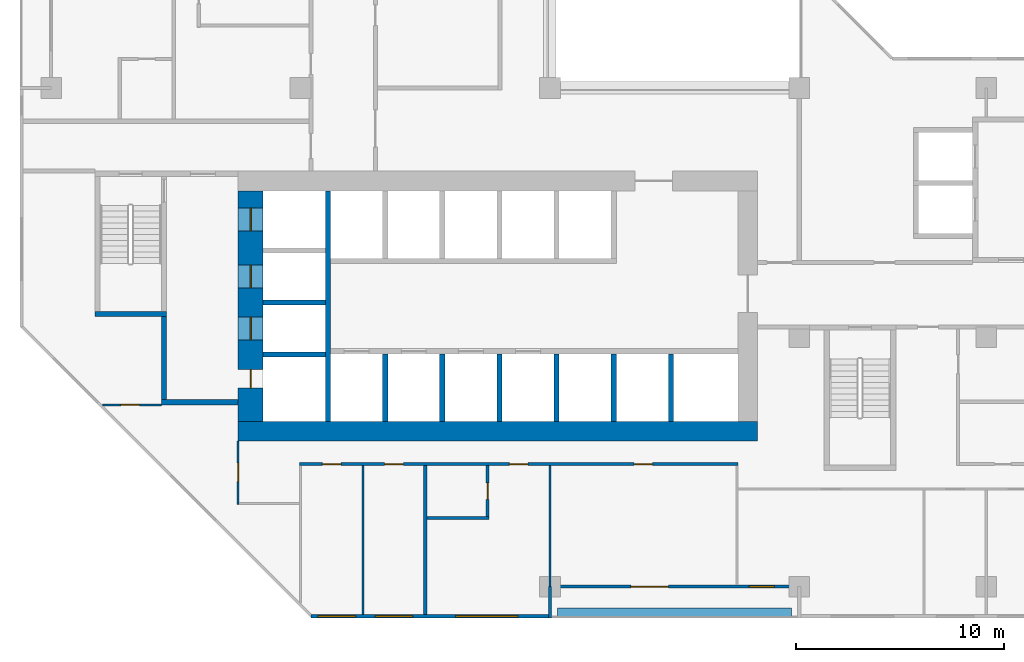
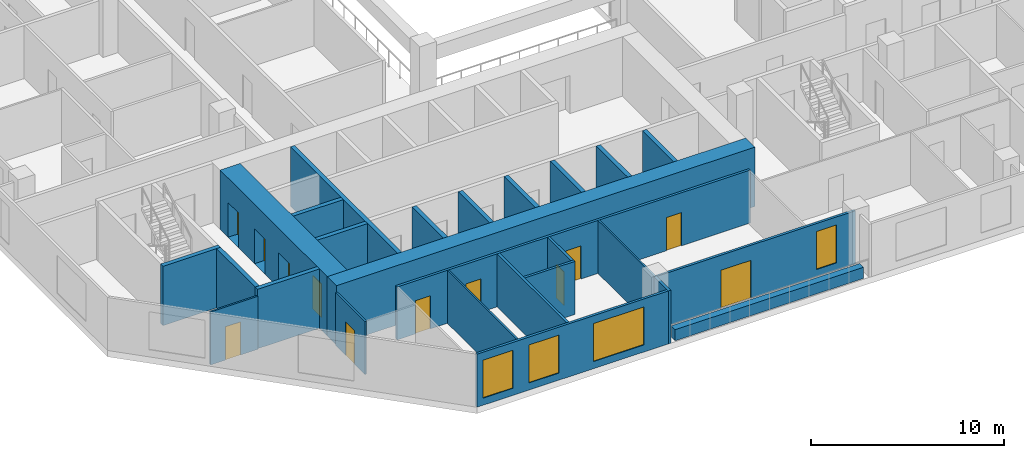
# One storey, part 4 of 14: 26 walls, 12 doors, 4 windows, 16 openings.
"""IFC4 building model written with IfcOpenShell, lengths in metres."""

from ifc_helpers import new_model, si_unit, direction, frame, frame_2d, origin, place, context, subcontext, project, spatial, rectangle, extrude, material, layer, layer_set, type_object, element, fill, save


model = new_model("IFC4")

# Units and contexts
model_context = context("Model", 3, precision=1e-05, world=origin(), true_north=direction((0.0, 1.0)))
body_context = subcontext(model_context, "Body", "Model", "MODEL_VIEW")
ifc_project = project(units=[si_unit("LENGTHUNIT", "METRE"), si_unit("AREAUNIT", "SQUARE_METRE"), si_unit("VOLUMEUNIT", "CUBIC_METRE"), si_unit("PLANEANGLEUNIT", "RADIAN"), si_unit("MASSUNIT", "GRAM", prefix="KILO")], contexts=[model_context])

# Site, building, storey
site_placement = place(None, origin())
site = spatial("IfcSite", under=ifc_project, at=site_placement, CompositionType="ELEMENT")
building_placement = place(site_placement, origin())
building = spatial("IfcBuilding", under=site, at=building_placement, Name="Chenar Terraces", CompositionType="ELEMENT")
storey_placement = place(building_placement, frame((0.0, 0.0, 110.64990234375)))
storey = spatial("IfcBuildingStorey", under=building, at=storey_placement, Name="L25", CompositionType="ELEMENT", Elevation=110.64990234375)

# Wall, openings, doors
ifc_material_1 = material(Name="Concrete C70/85", Category="concrete")
ifc_layer_1 = layer(ifc_material_1, 1.199951171875)
ifc_layer_set_1 = layer_set([ifc_layer_1], Name="Concrete C70/85")
wall_type_1 = type_object("IfcWallType", Name="Core wall 1200 Concrete C70/85", PredefinedType="SHEAR", material=ifc_layer_set_1)
wall_1_placement = place(storey_placement, frame((9.60009765625, 7.949951171875, 0.0), z_axis=(0.0, 0.0, 1.0), x_axis=(0.0, 1.0, 0.0)))
wall_1 = element("IfcWall", 1, at=wall_1_placement, inside=storey, type_object=wall_type_1, Name="Core wall W L25", PredefinedType="SHEAR", context=body_context, shape_type="SweptSolid", body=[
    extrude(rectangle(XDim=11.10009765625, YDim=1.199951171875, at=frame_2d((5.550048828125, 0.0))), origin(), (0.0, 0.0, 1.0), 3.75),
])
opening_1_placement = place(wall_1_placement, frame((3.925048828125, 0.0, 0.0)))
opening_1 = element("IfcOpeningElement", 2, at=opening_1_placement, cuts=wall_1, Name="Opening DL25-LD5", PredefinedType="OPENING", context=body_context, shape_type="SweptSolid", body=[
    extrude(rectangle(XDim=1.10009765625, YDim=2.199951171875, at=frame_2d((0.550048828125, 1.10009765625))), frame((0.0, 0.60986328125, 0.0), z_axis=(0.0, -1.0, 0.0), x_axis=(1.0, 0.0, 0.0)), (0.0, 0.0, 1.0), 1.219970703125),
])
opening_2_placement = place(wall_1_placement, frame((6.425048828125, 0.0, 0.0)))
opening_2 = element("IfcOpeningElement", 3, at=opening_2_placement, cuts=wall_1, Name="Opening DL25-LD6", PredefinedType="OPENING", context=body_context, shape_type="SweptSolid", body=[
    extrude(rectangle(XDim=1.10009765625, YDim=2.199951171875, at=frame_2d((0.550048828125, 1.10009765625))), frame((0.0, 0.60986328125, 0.0), z_axis=(0.0, -1.0, 0.0), x_axis=(1.0, 0.0, 0.0)), (0.0, 0.0, 1.0), 1.219970703125),
])
opening_3_placement = place(wall_1_placement, frame((9.175048828125, 0.0, 0.0)))
opening_3 = element("IfcOpeningElement", 4, at=opening_3_placement, cuts=wall_1, Name="Opening DL25-LD7", PredefinedType="OPENING", context=body_context, shape_type="SweptSolid", body=[
    extrude(rectangle(XDim=1.10009765625, YDim=2.199951171875, at=frame_2d((0.550048828125, 1.10009765625))), frame((0.0, 0.60986328125, 0.0), z_axis=(0.0, -1.0, 0.0), x_axis=(1.0, 0.0, 0.0)), (0.0, 0.0, 1.0), 1.219970703125),
])
opening_4_placement = place(wall_1_placement, frame((1.60009765625, 0.0, 0.0)))
opening_4 = element("IfcOpeningElement", 5, at=opening_4_placement, cuts=wall_1, Name="Opening DL25-C4", PredefinedType="OPENING", context=body_context, shape_type="SweptSolid", body=[
    extrude(rectangle(XDim=0.89990234375, YDim=2.10009765625, at=frame_2d((0.449951171875, 1.050048828125))), frame((0.0, 0.60986328125, 0.0), z_axis=(0.0, -1.0, 0.0), x_axis=(1.0, 0.0, 0.0)), (0.0, 0.0, 1.0), 1.219970703125),
])
ifc_material_2 = material(Name="Stainless steel", Category="steel")
door_type_1 = type_object("IfcDoorType", Name="Lift landing door 1100 x 2200 sliding", OperationType="DOUBLE_DOOR_SLIDING", PredefinedType="DOOR", material=ifc_material_2)
door_1_placement = place(opening_1_placement, origin())
door_1 = element("IfcDoor", 6, at=door_1_placement, inside=storey, type_object=door_type_1, Name="Landing door S1", OperationType="DOUBLE_DOOR_SLIDING", OverallHeight=2.199951171875, OverallWidth=1.10009765625, PredefinedType="DOOR", context=body_context, shape_type="SweptSolid", body=[
    extrude(rectangle(XDim=1.10009765625, YDim=2.199951171875, at=frame_2d((0.550048828125, 1.10009765625))), frame((0.0, 0.02490234375, 0.0), z_axis=(0.0, -1.0, 0.0), x_axis=(1.0, 0.0, 0.0)), (0.0, 0.0, 1.0), 0.050048828125),
])
fill(opening_1, door_1)
door_2_placement = place(opening_2_placement, origin())
door_2 = element("IfcDoor", 7, at=door_2_placement, inside=storey, type_object=door_type_1, Name="Landing door F1", OperationType="DOUBLE_DOOR_SLIDING", OverallHeight=2.199951171875, OverallWidth=1.10009765625, PredefinedType="DOOR", context=body_context, shape_type="SweptSolid", body=[
    extrude(rectangle(XDim=1.10009765625, YDim=2.199951171875, at=frame_2d((0.550048828125, 1.10009765625))), frame((0.0, 0.02490234375, 0.0), z_axis=(0.0, -1.0, 0.0), x_axis=(1.0, 0.0, 0.0)), (0.0, 0.0, 1.0), 0.050048828125),
])
fill(opening_2, door_2)
door_3_placement = place(opening_3_placement, origin())
door_3 = element("IfcDoor", 8, at=door_3_placement, inside=storey, type_object=door_type_1, Name="Landing door F2", OperationType="DOUBLE_DOOR_SLIDING", OverallHeight=2.199951171875, OverallWidth=1.10009765625, PredefinedType="DOOR", context=body_context, shape_type="SweptSolid", body=[
    extrude(rectangle(XDim=1.10009765625, YDim=2.199951171875, at=frame_2d((0.550048828125, 1.10009765625))), frame((0.0, 0.02490234375, 0.0), z_axis=(0.0, -1.0, 0.0), x_axis=(1.0, 0.0, 0.0)), (0.0, 0.0, 1.0), 0.050048828125),
])
fill(opening_3, door_3)
ifc_material_3 = material(Name="Steel-framed fire-resisting door leaf", Category="steel")
door_type_2 = type_object("IfcDoorType", Name="Riser fire door FD60 900 x 2100", OperationType="SINGLE_SWING_LEFT", PredefinedType="DOOR", material=ifc_material_3)
door_4_placement = place(opening_4_placement, frame((0.89990234375, 0.0, 0.0), z_axis=(0.0, 0.0, 1.0), x_axis=(-1.0, 0.0, 0.0)))
door_4 = element("IfcDoor", 9, at=door_4_placement, inside=storey, type_object=door_type_2, Name="Riser door DL25-C4", OperationType="SINGLE_SWING_LEFT", OverallHeight=2.10009765625, OverallWidth=0.89990234375, PredefinedType="DOOR", context=body_context, shape_type="SweptSolid", body=[
    extrude(rectangle(XDim=0.89990234375, YDim=2.10009765625, at=frame_2d((0.449951171875, 1.050048828125))), frame((0.0, 0.02490234375, 0.0), z_axis=(0.0, -1.0, 0.0), x_axis=(1.0, 0.0, 0.0)), (0.0, 0.0, 1.0), 0.050048828125),
])
fill(opening_4, door_4)

# Walls
ifc_material_4 = material(Name="Concrete C70/85", Category="concrete")
ifc_layer_2 = layer(ifc_material_4, 0.25)
ifc_layer_set_2 = layer_set([ifc_layer_2], Name="Concrete C70/85")
wall_type_2 = type_object("IfcWallType", Name="Core wall 250 Concrete C70/85", PredefinedType="SHEAR", material=ifc_layer_set_2)
wall_2_placement = place(storey_placement, frame((13.324951171875, 7.949951171875, 0.0), z_axis=(0.0, 0.0, 1.0), x_axis=(0.0, 1.0, 0.0)))
element("IfcWall", 10, at=wall_2_placement, inside=storey, type_object=wall_type_2, Name="Core wall WI L25", PredefinedType="SHEAR", context=body_context, shape_type="SweptSolid", body=[
    extrude(rectangle(XDim=11.10009765625, YDim=0.25, at=frame_2d((5.550048828125, 0.0))), origin(), (0.0, 0.0, 1.0), 3.75),
])
for number, where, z_axis, x_axis, name in (
    (11, (10.199951171875, 11.175048828125, 0.0), (0.0, 0.0, 1.0), (1.0, 0.0, 0.0), "Core wall HW0 L25"),
    (12, (10.199951171875, 13.675048828125, 0.0), (0.0, 0.0, 1.0), (1.0, 0.0, 0.0), "Core wall HW1 L25"),
):
    element("IfcWall", number, at=place(storey_placement, frame(where, z_axis=z_axis, x_axis=x_axis)), inside=storey, type_object=wall_type_2, Name=name, PredefinedType="SHEAR", context=body_context, shape_type="SweptSolid", body=[
        extrude(rectangle(XDim=3.0, YDim=0.25, at=frame_2d((1.5, 0.0))), origin(), (0.0, 0.0, 1.0), 3.75),
    ])
for number, where, z_axis, x_axis, name in (
    (13, (16.074951171875, 7.949951171875, 0.0), (0.0, 0.0, 1.0), (0.0, 1.0, 0.0), "Core wall SS0 L25"),
    (14, (18.824951171875, 7.949951171875, 0.0), (0.0, 0.0, 1.0), (0.0, 1.0, 0.0), "Core wall SS1 L25"),
    (15, (21.574951171875, 7.949951171875, 0.0), (0.0, 0.0, 1.0), (0.0, 1.0, 0.0), "Core wall SS2 L25"),
    (16, (24.324951171875, 7.949951171875, 0.0), (0.0, 0.0, 1.0), (0.0, 1.0, 0.0), "Core wall SS3 L25"),
    (17, (27.074951171875, 7.949951171875, 0.0), (0.0, 0.0, 1.0), (0.0, 1.0, 0.0), "Core wall SS4 L25"),
    (18, (29.824951171875, 7.949951171875, 0.0), (0.0, 0.0, 1.0), (0.0, 1.0, 0.0), "Core wall SS5 L25"),
):
    element("IfcWall", number, at=place(storey_placement, frame(where, z_axis=z_axis, x_axis=x_axis)), inside=storey, type_object=wall_type_2, Name=name, PredefinedType="SHEAR", context=body_context, shape_type="SweptSolid", body=[
        extrude(rectangle(XDim=3.25, YDim=0.25, at=frame_2d((1.625, 0.0))), origin(), (0.0, 0.0, 1.0), 3.75),
    ])
wall_3_placement = place(storey_placement, frame((2.10009765625, 13.125, 0.0), z_axis=(0.0, 0.0, 1.0), x_axis=(1.0, 0.0, 0.0)))
element("IfcWall", 19, at=wall_3_placement, inside=storey, type_object=wall_type_2, Name="Core wall ST1_S L25", PredefinedType="SHEAR", context=body_context, shape_type="SweptSolid", body=[
    extrude(rectangle(XDim=3.449951171875, YDim=0.25, at=frame_2d((1.72509765625, 0.0))), origin(), (0.0, 0.0, 1.0), 3.75),
])
wall_4_placement = place(storey_placement, frame((5.300048828125, 8.875, 0.0), z_axis=(0.0, 0.0, 1.0), x_axis=(1.0, 0.0, 0.0)))
element("IfcWall", 20, at=wall_4_placement, inside=storey, type_object=wall_type_2, Name="Core wall FFL_S L25", PredefinedType="SHEAR", context=body_context, shape_type="SweptSolid", body=[
    extrude(rectangle(XDim=3.699951171875, YDim=0.25, at=frame_2d((1.85009765625, 0.0))), origin(), (0.0, 0.0, 1.0), 3.75),
])
wall_5_placement = place(storey_placement, frame((5.425048828125, 9.0, 0.0), z_axis=(0.0, 0.0, 1.0), x_axis=(0.0, 1.0, 0.0)))
element("IfcWall", 21, at=wall_5_placement, inside=storey, type_object=wall_type_2, Name="Core wall FFL_W L25", PredefinedType="SHEAR", context=body_context, shape_type="SweptSolid", body=[
    extrude(rectangle(XDim=4.0, YDim=0.25, at=frame_2d((2.0, 0.0))), origin(), (0.0, 0.0, 1.0), 3.75),
])
ifc_material_5 = material(Name="Concrete C70/85", Category="concrete")
ifc_layer_3 = layer(ifc_material_5, 0.949951171875)
ifc_layer_set_3 = layer_set([ifc_layer_3], Name="Concrete C70/85")
wall_type_3 = type_object("IfcWallType", Name="Core wall 950 Concrete C70/85", PredefinedType="SHEAR", material=ifc_layer_set_3)
wall_6_placement = place(storey_placement, frame((9.0, 7.47509765625, 0.0), z_axis=(0.0, 0.0, 1.0), x_axis=(1.0, 0.0, 0.0)))
element("IfcWall", 22, at=wall_6_placement, inside=storey, type_object=wall_type_3, Name="Core wall S L25", PredefinedType="SHEAR", context=body_context, shape_type="SweptSolid", body=[
    extrude(rectangle(XDim=25.0, YDim=0.949951171875, at=frame_2d((12.5, 0.0))), origin(), (0.0, 0.0, 1.0), 3.75),
])

# Wall, openings, windows
ifc_material_6 = material(Name="Aluminium framed glazing", Category="aluminium")
ifc_layer_4 = layer(ifc_material_6, 0.14990234375)
ifc_layer_set_4 = layer_set([ifc_layer_4], Name="Aluminium framed glazing")
wall_type_4 = type_object("IfcWallType", Name="Glazed flush facade wall 150", PredefinedType="SOLIDWALL", material=ifc_layer_set_4)
wall_7_placement = place(storey_placement, frame((12.5, -1.425048828125, 0.0), z_axis=(0.0, 0.0, 1.0), x_axis=(1.0, 0.0, 0.0)))
wall_7 = element("IfcWall", 23, at=wall_7_placement, inside=storey, type_object=wall_type_4, Name="Glazed flush facade wall", PredefinedType="SOLIDWALL", context=body_context, shape_type="SweptSolid", body=[
    extrude(rectangle(XDim=11.425048828125, YDim=0.14990234375, at=frame_2d((5.71240234375, 0.0))), origin(), (0.0, 0.0, 1.0), 3.35009765625),
])
opening_5_placement = place(wall_7_placement, frame((0.35009765625, 0.0, 0.449951171875)))
opening_5 = element("IfcOpeningElement", 24, at=opening_5_placement, cuts=wall_7, Name="Opening W180x240", PredefinedType="OPENING", context=body_context, shape_type="SweptSolid", body=[
    extrude(rectangle(XDim=1.800048828125, YDim=2.39990234375, at=frame_2d((0.89990234375, 1.199951171875))), frame((0.0, 0.0849609375, 0.0), z_axis=(0.0, -1.0, 0.0), x_axis=(1.0, 0.0, 0.0)), (0.0, 0.0, 1.0), 0.169921875),
])
opening_6_placement = place(wall_7_placement, frame((3.10009765625, 0.0, 0.449951171875)))
opening_6 = element("IfcOpeningElement", 25, at=opening_6_placement, cuts=wall_7, Name="Opening W180x240", PredefinedType="OPENING", context=body_context, shape_type="SweptSolid", body=[
    extrude(rectangle(XDim=1.800048828125, YDim=2.39990234375, at=frame_2d((0.89990234375, 1.199951171875))), frame((0.0, 0.0849609375, 0.0), z_axis=(0.0, -1.0, 0.0), x_axis=(1.0, 0.0, 0.0)), (0.0, 0.0, 1.0), 0.169921875),
])
opening_7_placement = place(wall_7_placement, frame((6.96240234375, 0.0, 0.449951171875)))
opening_7 = element("IfcOpeningElement", 26, at=opening_7_placement, cuts=wall_7, Name="Opening W300x240", PredefinedType="OPENING", context=body_context, shape_type="SweptSolid", body=[
    extrude(rectangle(XDim=3.0, YDim=2.39990234375, at=frame_2d((1.5, 1.199951171875))), frame((0.0, 0.0849609375, 0.0), z_axis=(0.0, -1.0, 0.0), x_axis=(1.0, 0.0, 0.0)), (0.0, 0.0, 1.0), 0.169921875),
])
ifc_material_7 = material(Name="Low emissivity double glazing, aluminium frame", Category="aluminium")
window_type_1 = type_object("IfcWindowType", Name="Fixed light 1800 x 2400", PartitioningType="SINGLE_PANEL", PredefinedType="WINDOW", material=ifc_material_7)
window_1_placement = place(opening_5_placement, origin())
window_1 = element("IfcWindow", 27, at=window_1_placement, inside=storey, type_object=window_type_1, Name="Window", OverallHeight=2.39990234375, OverallWidth=1.800048828125, PartitioningType="SINGLE_PANEL", PredefinedType="WINDOW", context=body_context, shape_type="SweptSolid", body=[
    extrude(rectangle(XDim=1.800048828125, YDim=2.39990234375, at=frame_2d((0.89990234375, 1.199951171875))), frame((0.0, 0.030029296875, 0.0), z_axis=(0.0, -1.0, 0.0), x_axis=(1.0, 0.0, 0.0)), (0.0, 0.0, 1.0), 0.06005859375),
])
fill(opening_5, window_1)
window_2_placement = place(opening_6_placement, origin())
window_2 = element("IfcWindow", 28, at=window_2_placement, inside=storey, type_object=window_type_1, Name="Window", OverallHeight=2.39990234375, OverallWidth=1.800048828125, PartitioningType="SINGLE_PANEL", PredefinedType="WINDOW", context=body_context, shape_type="SweptSolid", body=[
    extrude(rectangle(XDim=1.800048828125, YDim=2.39990234375, at=frame_2d((0.89990234375, 1.199951171875))), frame((0.0, 0.030029296875, 0.0), z_axis=(0.0, -1.0, 0.0), x_axis=(1.0, 0.0, 0.0)), (0.0, 0.0, 1.0), 0.06005859375),
])
fill(opening_6, window_2)
ifc_material_8 = material(Name="Low emissivity double glazing, aluminium frame", Category="aluminium")
window_type_2 = type_object("IfcWindowType", Name="Fixed light 3000 x 2400", PartitioningType="SINGLE_PANEL", PredefinedType="WINDOW", material=ifc_material_8)
window_3_placement = place(opening_7_placement, origin())
window_3 = element("IfcWindow", 29, at=window_3_placement, inside=storey, type_object=window_type_2, Name="Window", OverallHeight=2.39990234375, OverallWidth=3.0, PartitioningType="SINGLE_PANEL", PredefinedType="WINDOW", context=body_context, shape_type="SweptSolid", body=[
    extrude(rectangle(XDim=3.0, YDim=2.39990234375, at=frame_2d((1.5, 1.199951171875))), frame((0.0, 0.030029296875, 0.0), z_axis=(0.0, -1.0, 0.0), x_axis=(1.0, 0.0, 0.0)), (0.0, 0.0, 1.0), 0.06005859375),
])
fill(opening_7, window_3)

# Wall, openings, window, door
ifc_material_9 = material(Name="Aluminium framed glazing", Category="aluminium")
ifc_layer_5 = layer(ifc_material_9, 0.14990234375)
ifc_layer_set_5 = layer_set([ifc_layer_5], Name="Aluminium framed glazing")
wall_type_5 = type_object("IfcWallType", Name="Glazed loggia back wall 150", PredefinedType="SOLIDWALL", material=ifc_layer_set_5)
wall_8_placement = place(storey_placement, frame((24.074951171875, 0.0, 0.0), z_axis=(0.0, 0.0, 1.0), x_axis=(1.0, 0.0, 0.0)))
wall_8 = element("IfcWall", 30, at=wall_8_placement, inside=storey, type_object=wall_type_5, Name="Glazed loggia back wall", PredefinedType="SOLIDWALL", context=body_context, shape_type="SweptSolid", body=[
    extrude(rectangle(XDim=11.85009765625, YDim=0.14990234375, at=frame_2d((5.925048828125, 0.0))), origin(), (0.0, 0.0, 1.0), 3.35009765625),
])
opening_8_placement = place(wall_8_placement, frame((3.824951171875, 0.0, 0.0)))
opening_8 = element("IfcOpeningElement", 31, at=opening_8_placement, cuts=wall_8, Name="Opening DL25-G6", PredefinedType="OPENING", context=body_context, shape_type="SweptSolid", body=[
    extrude(rectangle(XDim=1.800048828125, YDim=2.39990234375, at=frame_2d((0.89990234375, 1.199951171875))), frame((0.0, 0.0849609375, 0.0), z_axis=(0.0, -1.0, 0.0), x_axis=(1.0, 0.0, 0.0)), (0.0, 0.0, 1.0), 0.169921875),
])
opening_9_placement = place(wall_8_placement, frame((9.52490234375, 0.0, 0.449951171875)))
opening_9 = element("IfcOpeningElement", 32, at=opening_9_placement, cuts=wall_8, Name="Opening W120x240", PredefinedType="OPENING", context=body_context, shape_type="SweptSolid", body=[
    extrude(rectangle(XDim=1.199951171875, YDim=2.39990234375, at=frame_2d((0.60009765625, 1.199951171875))), frame((0.0, 0.0849609375, 0.0), z_axis=(0.0, -1.0, 0.0), x_axis=(1.0, 0.0, 0.0)), (0.0, 0.0, 1.0), 0.169921875),
])
ifc_material_10 = material(Name="Low emissivity double glazing, aluminium frame", Category="aluminium")
window_type_3 = type_object("IfcWindowType", Name="Fixed light 1200 x 2400", PartitioningType="SINGLE_PANEL", PredefinedType="WINDOW", material=ifc_material_10)
window_4_placement = place(opening_9_placement, origin())
window_4 = element("IfcWindow", 33, at=window_4_placement, inside=storey, type_object=window_type_3, Name="Window", OverallHeight=2.39990234375, OverallWidth=1.199951171875, PartitioningType="SINGLE_PANEL", PredefinedType="WINDOW", context=body_context, shape_type="SweptSolid", body=[
    extrude(rectangle(XDim=1.199951171875, YDim=2.39990234375, at=frame_2d((0.60009765625, 1.199951171875))), frame((0.0, 0.030029296875, 0.0), z_axis=(0.0, -1.0, 0.0), x_axis=(1.0, 0.0, 0.0)), (0.0, 0.0, 1.0), 0.06005859375),
])
fill(opening_9, window_4)
ifc_material_11 = material(Name="Low emissivity double glazing, aluminium frame", Category="aluminium")
door_type_3 = type_object("IfcDoorType", Name="Loggia glazed double door 1800 x 2400", OperationType="DOUBLE_DOOR_SINGLE_SWING", PredefinedType="DOOR", material=ifc_material_11)
door_5_placement = place(opening_8_placement, frame((1.800048828125, 0.0, 0.0), z_axis=(0.0, 0.0, 1.0), x_axis=(-1.0, 0.0, 0.0)))
door_5 = element("IfcDoor", 34, at=door_5_placement, inside=storey, type_object=door_type_3, Name="Loggia glazed door", OperationType="DOUBLE_DOOR_SINGLE_SWING", OverallHeight=2.39990234375, OverallWidth=1.800048828125, PredefinedType="DOOR", context=body_context, shape_type="SweptSolid", body=[
    extrude(rectangle(XDim=1.800048828125, YDim=2.39990234375, at=frame_2d((0.89990234375, 1.199951171875))), frame((0.0, 0.02490234375, 0.0), z_axis=(0.0, -1.0, 0.0), x_axis=(1.0, 0.0, 0.0)), (0.0, 0.0, 1.0), 0.050048828125),
])
fill(opening_8, door_5)

# Wall, opening, door
ifc_material_12 = material(Name="Gypsum board on steel studs", Category="steel")
ifc_layer_6 = layer(ifc_material_12, 0.10009765625)
ifc_layer_set_6 = layer_set([ifc_layer_6], Name="Gypsum board on steel studs")
wall_type_6 = type_object("IfcWallType", Name="Gypsum partition 100", PredefinedType="PARTITIONING", material=ifc_layer_set_6)
wall_9_placement = place(storey_placement, frame((2.4609375, 8.75, 0.0), z_axis=(0.0, 0.0, 1.0), x_axis=(1.0, 0.0, 0.0)))
wall_9 = element("IfcWall", 35, at=wall_9_placement, inside=storey, type_object=wall_type_6, Name="Partition L25-010", PredefinedType="PARTITIONING", context=body_context, shape_type="SweptSolid", body=[
    extrude(rectangle(XDim=2.839111328125, YDim=0.10009765625, at=frame_2d((1.41943359375, 0.0))), origin(), (0.0, 0.0, 1.0), 3.35009765625),
])
opening_10_placement = place(wall_9_placement, frame((0.888916015625, 0.0, 0.0)))
opening_10 = element("IfcOpeningElement", 36, at=opening_10_placement, cuts=wall_9, Name="Opening DL25-57", PredefinedType="OPENING", context=body_context, shape_type="SweptSolid", body=[
    extrude(rectangle(XDim=0.89990234375, YDim=2.10009765625, at=frame_2d((0.449951171875, 1.050048828125))), frame((0.0, 0.06005859375, 0.0), z_axis=(0.0, -1.0, 0.0), x_axis=(1.0, 0.0, 0.0)), (0.0, 0.0, 1.0), 0.1201171875),
])
ifc_material_13 = material(Name="Veneered timber door leaf", Category="wood")
door_type_4 = type_object("IfcDoorType", Name="Door 900 x 2100", OperationType="SINGLE_SWING_LEFT", PredefinedType="DOOR", material=ifc_material_13)
door_6_placement = place(opening_10_placement, frame((0.89990234375, 0.0, 0.0), z_axis=(0.0, 0.0, 1.0), x_axis=(-1.0, 0.0, 0.0)))
door_6 = element("IfcDoor", 37, at=door_6_placement, inside=storey, type_object=door_type_4, Name="Door DL25-57", OperationType="SINGLE_SWING_RIGHT", OverallHeight=2.10009765625, OverallWidth=0.89990234375, PredefinedType="DOOR", context=body_context, shape_type="SweptSolid", body=[
    extrude(rectangle(XDim=0.89990234375, YDim=2.10009765625, at=frame_2d((0.449951171875, 1.050048828125))), frame((0.0, 0.02490234375, 0.0), z_axis=(0.0, -1.0, 0.0), x_axis=(1.0, 0.0, 0.0)), (0.0, 0.0, 1.0), 0.050048828125),
])
fill(opening_10, door_6)

wall_10_placement = place(storey_placement, frame((9.0, 3.949951171875, 0.0), z_axis=(0.0, 0.0, 1.0), x_axis=(0.0, 1.0, 0.0)))
wall_10 = element("IfcWall", 38, at=wall_10_placement, inside=storey, type_object=wall_type_6, Name="Partition L25-030", PredefinedType="PARTITIONING", context=body_context, shape_type="SweptSolid", body=[
    extrude(rectangle(XDim=3.050048828125, YDim=0.10009765625, at=frame_2d((1.52490234375, 0.0))), origin(), (0.0, 0.0, 1.0), 3.35009765625),
])
opening_11_placement = place(wall_10_placement, frame((1.10009765625, 0.0, 0.0)))
opening_11 = element("IfcOpeningElement", 39, at=opening_11_placement, cuts=wall_10, Name="Opening DL25-56", PredefinedType="OPENING", context=body_context, shape_type="SweptSolid", body=[
    extrude(rectangle(XDim=0.89990234375, YDim=2.10009765625, at=frame_2d((0.449951171875, 1.050048828125))), frame((0.0, 0.06005859375, 0.0), z_axis=(0.0, -1.0, 0.0), x_axis=(1.0, 0.0, 0.0)), (0.0, 0.0, 1.0), 0.1201171875),
])
door_7_placement = place(opening_11_placement, origin())
door_7 = element("IfcDoor", 40, at=door_7_placement, inside=storey, type_object=door_type_4, Name="Door DL25-56", OperationType="SINGLE_SWING_LEFT", OverallHeight=2.10009765625, OverallWidth=0.89990234375, PredefinedType="DOOR", context=body_context, shape_type="SweptSolid", body=[
    extrude(rectangle(XDim=0.89990234375, YDim=2.10009765625, at=frame_2d((0.449951171875, 1.050048828125))), frame((0.0, 0.02490234375, 0.0), z_axis=(0.0, -1.0, 0.0), x_axis=(1.0, 0.0, 0.0)), (0.0, 0.0, 1.0), 0.050048828125),
])
fill(opening_11, door_7)

# Walls
wall_11_placement = place(storey_placement, frame((15.0, -1.35107421875, 0.0), z_axis=(0.0, 0.0, 1.0), x_axis=(0.0, 1.0, 0.0)))
element("IfcWall", 41, at=wall_11_placement, inside=storey, type_object=wall_type_6, Name="Partition L25-035", PredefinedType="PARTITIONING", context=body_context, shape_type="SweptSolid", body=[
    extrude(rectangle(XDim=7.176025390625, YDim=0.10009765625, at=frame_2d((3.587890625, 0.0))), origin(), (0.0, 0.0, 1.0), 3.35009765625),
])
wall_12_placement = place(storey_placement, frame((24.0, 0.0, 0.0), z_axis=(0.0, 0.0, 1.0), x_axis=(0.0, 1.0, 0.0)))
element("IfcWall", 42, at=wall_12_placement, inside=storey, type_object=wall_type_6, Name="Partition L25-058", PredefinedType="PARTITIONING", context=body_context, shape_type="SweptSolid", body=[
    extrude(rectangle(XDim=5.824951171875, YDim=0.10009765625, at=frame_2d((2.91259765625, 0.0))), origin(), (0.0, 0.0, 1.0), 3.35009765625),
])
ifc_material_14 = material(Name="Terracotta cladding on insulated backing", Category="masonry")
ifc_layer_7 = layer(ifc_material_14, 0.14990234375)
ifc_layer_set_7 = layer_set([ifc_layer_7], Name="Terracotta cladding on insulated backing")
wall_type_7 = type_object("IfcWallType", Name="Loggia return wall 150", PredefinedType="SOLIDWALL", material=ifc_layer_set_7)
wall_13_placement = place(storey_placement, frame((24.0, -1.5, 0.0), z_axis=(0.0, 0.0, 1.0), x_axis=(0.0, 1.0, 0.0)))
element("IfcWall", 43, at=wall_13_placement, inside=storey, type_object=wall_type_7, Name="Loggia return wall", PredefinedType="SOLIDWALL", context=body_context, shape_type="SweptSolid", body=[
    extrude(rectangle(XDim=1.5, YDim=0.14990234375, at=frame_2d((0.75, 0.0))), origin(), (0.0, 0.0, 1.0), 3.35009765625),
])
ifc_material_15 = material(Name="GRP planter trough")
ifc_layer_8 = layer(ifc_material_15, 0.39990234375)
ifc_layer_set_8 = layer_set([ifc_layer_8], Name="GRP planter trough")
wall_type_8 = type_object("IfcWallType", Name="Vertical greenery planter 400", PredefinedType="SOLIDWALL", material=ifc_layer_set_8)
wall_14_placement = place(storey_placement, frame((24.375, -1.22900390625, 0.0), z_axis=(0.0, 0.0, 1.0), x_axis=(1.0, 0.0, 0.0)))
element("IfcWall", 44, at=wall_14_placement, inside=storey, type_object=wall_type_8, Name="Vertical greenery planter", PredefinedType="SOLIDWALL", context=body_context, shape_type="SweptSolid", body=[
    extrude(rectangle(XDim=11.25, YDim=0.39990234375, at=frame_2d((5.625, 0.0))), origin(), (0.0, 0.0, 1.0), 0.7001953125),
])

# Wall, openings, doors
ifc_material_16 = material(Name="Moisture-resistant gypsum board on steel studs", Category="steel")
ifc_layer_9 = layer(ifc_material_16, 0.14990234375)
ifc_layer_set_9 = layer_set([ifc_layer_9], Name="Moisture-resistant gypsum board on steel studs")
wall_type_9 = type_object("IfcWallType", Name="Wet-room partition 150", PredefinedType="PARTITIONING", material=ifc_layer_set_9)
wall_15_placement = place(storey_placement, frame((11.949951171875, 5.89990234375, 0.0), z_axis=(0.0, 0.0, 1.0), x_axis=(1.0, 0.0, 0.0)))
wall_15 = element("IfcWall", 45, at=wall_15_placement, inside=storey, type_object=wall_type_9, Name="Partition L25-032", PredefinedType="PARTITIONING", context=body_context, shape_type="SweptSolid", body=[
    extrude(rectangle(XDim=21.10009765625, YDim=0.14990234375, at=frame_2d((10.550048828125, 0.0))), origin(), (0.0, 0.0, 1.0), 3.35009765625),
])
opening_12_placement = place(wall_15_placement, frame((1.10009765625, 0.0, 0.0)))
opening_12 = element("IfcOpeningElement", 46, at=opening_12_placement, cuts=wall_15, Name="Opening DL25-52", PredefinedType="OPENING", context=body_context, shape_type="SweptSolid", body=[
    extrude(rectangle(XDim=0.89990234375, YDim=2.10009765625, at=frame_2d((0.449951171875, 1.050048828125))), frame((0.0, 0.0849609375, 0.0), z_axis=(0.0, -1.0, 0.0), x_axis=(1.0, 0.0, 0.0)), (0.0, 0.0, 1.0), 0.169921875),
])
opening_13_placement = place(wall_15_placement, frame((4.10009765625, 0.0, 0.0)))
opening_13 = element("IfcOpeningElement", 47, at=opening_13_placement, cuts=wall_15, Name="Opening DL25-53", PredefinedType="OPENING", context=body_context, shape_type="SweptSolid", body=[
    extrude(rectangle(XDim=0.89990234375, YDim=2.10009765625, at=frame_2d((0.449951171875, 1.050048828125))), frame((0.0, 0.0849609375, 0.0), z_axis=(0.0, -1.0, 0.0), x_axis=(1.0, 0.0, 0.0)), (0.0, 0.0, 1.0), 0.169921875),
])
opening_14_placement = place(wall_15_placement, frame((10.10009765625, 0.0, 0.0)))
opening_14 = element("IfcOpeningElement", 48, at=opening_14_placement, cuts=wall_15, Name="Opening DL25-58", PredefinedType="OPENING", context=body_context, shape_type="SweptSolid", body=[
    extrude(rectangle(XDim=0.89990234375, YDim=2.10009765625, at=frame_2d((0.449951171875, 1.050048828125))), frame((0.0, 0.0849609375, 0.0), z_axis=(0.0, -1.0, 0.0), x_axis=(1.0, 0.0, 0.0)), (0.0, 0.0, 1.0), 0.169921875),
])
opening_15_placement = place(wall_15_placement, frame((16.10009765625, 0.0, 0.0)))
opening_15 = element("IfcOpeningElement", 49, at=opening_15_placement, cuts=wall_15, Name="Opening DL25-62", PredefinedType="OPENING", context=body_context, shape_type="SweptSolid", body=[
    extrude(rectangle(XDim=0.89990234375, YDim=2.10009765625, at=frame_2d((0.449951171875, 1.050048828125))), frame((0.0, 0.0849609375, 0.0), z_axis=(0.0, -1.0, 0.0), x_axis=(1.0, 0.0, 0.0)), (0.0, 0.0, 1.0), 0.169921875),
])
door_8_placement = place(opening_12_placement, frame((0.89990234375, 0.0, 0.0), z_axis=(0.0, 0.0, 1.0), x_axis=(-1.0, 0.0, 0.0)))
door_8 = element("IfcDoor", 50, at=door_8_placement, inside=storey, type_object=door_type_4, Name="Door DL25-52", OperationType="SINGLE_SWING_RIGHT", OverallHeight=2.10009765625, OverallWidth=0.89990234375, PredefinedType="DOOR", context=body_context, shape_type="SweptSolid", body=[
    extrude(rectangle(XDim=0.89990234375, YDim=2.10009765625, at=frame_2d((0.449951171875, 1.050048828125))), frame((0.0, 0.02490234375, 0.0), z_axis=(0.0, -1.0, 0.0), x_axis=(1.0, 0.0, 0.0)), (0.0, 0.0, 1.0), 0.050048828125),
])
fill(opening_12, door_8)
door_9_placement = place(opening_13_placement, frame((0.89990234375, 0.0, 0.0), z_axis=(0.0, 0.0, 1.0), x_axis=(-1.0, 0.0, 0.0)))
door_9 = element("IfcDoor", 51, at=door_9_placement, inside=storey, type_object=door_type_4, Name="Door DL25-53", OperationType="SINGLE_SWING_RIGHT", OverallHeight=2.10009765625, OverallWidth=0.89990234375, PredefinedType="DOOR", context=body_context, shape_type="SweptSolid", body=[
    extrude(rectangle(XDim=0.89990234375, YDim=2.10009765625, at=frame_2d((0.449951171875, 1.050048828125))), frame((0.0, 0.02490234375, 0.0), z_axis=(0.0, -1.0, 0.0), x_axis=(1.0, 0.0, 0.0)), (0.0, 0.0, 1.0), 0.050048828125),
])
fill(opening_13, door_9)
door_10_placement = place(opening_14_placement, frame((0.89990234375, 0.0, 0.0), z_axis=(0.0, 0.0, 1.0), x_axis=(-1.0, 0.0, 0.0)))
door_10 = element("IfcDoor", 52, at=door_10_placement, inside=storey, type_object=door_type_4, Name="Door DL25-58", OperationType="SINGLE_SWING_RIGHT", OverallHeight=2.10009765625, OverallWidth=0.89990234375, PredefinedType="DOOR", context=body_context, shape_type="SweptSolid", body=[
    extrude(rectangle(XDim=0.89990234375, YDim=2.10009765625, at=frame_2d((0.449951171875, 1.050048828125))), frame((0.0, 0.02490234375, 0.0), z_axis=(0.0, -1.0, 0.0), x_axis=(1.0, 0.0, 0.0)), (0.0, 0.0, 1.0), 0.050048828125),
])
fill(opening_14, door_10)
door_11_placement = place(opening_15_placement, frame((0.89990234375, 0.0, 0.0), z_axis=(0.0, 0.0, 1.0), x_axis=(-1.0, 0.0, 0.0)))
door_11 = element("IfcDoor", 53, at=door_11_placement, inside=storey, type_object=door_type_4, Name="Door DL25-62", OperationType="SINGLE_SWING_RIGHT", OverallHeight=2.10009765625, OverallWidth=0.89990234375, PredefinedType="DOOR", context=body_context, shape_type="SweptSolid", body=[
    extrude(rectangle(XDim=0.89990234375, YDim=2.10009765625, at=frame_2d((0.449951171875, 1.050048828125))), frame((0.0, 0.02490234375, 0.0), z_axis=(0.0, -1.0, 0.0), x_axis=(1.0, 0.0, 0.0)), (0.0, 0.0, 1.0), 0.050048828125),
])
fill(opening_15, door_11)

# Walls
wall_16_placement = place(storey_placement, frame((18.0, -1.35107421875, 0.0), z_axis=(0.0, 0.0, 1.0), x_axis=(0.0, 1.0, 0.0)))
element("IfcWall", 54, at=wall_16_placement, inside=storey, type_object=wall_type_9, Name="Partition L25-047", PredefinedType="PARTITIONING", context=body_context, shape_type="SweptSolid", body=[
    extrude(rectangle(XDim=7.176025390625, YDim=0.14990234375, at=frame_2d((3.587890625, 0.0))), origin(), (0.0, 0.0, 1.0), 3.35009765625),
])
wall_17_placement = place(storey_placement, frame((18.074951171875, 3.300048828125, 0.0), z_axis=(0.0, 0.0, 1.0), x_axis=(1.0, 0.0, 0.0)))
element("IfcWall", 55, at=wall_17_placement, inside=storey, type_object=wall_type_9, Name="Partition L25-049", PredefinedType="PARTITIONING", context=body_context, shape_type="SweptSolid", body=[
    extrude(rectangle(XDim=3.0, YDim=0.14990234375, at=frame_2d((1.5, 0.0))), origin(), (0.0, 0.0, 1.0), 3.35009765625),
])

# Wall, opening, door
wall_18_placement = place(storey_placement, frame((21.0, 3.375, 0.0), z_axis=(0.0, 0.0, 1.0), x_axis=(0.0, 1.0, 0.0)))
wall_18 = element("IfcWall", 56, at=wall_18_placement, inside=storey, type_object=wall_type_9, Name="Partition L25-056", PredefinedType="PARTITIONING", context=body_context, shape_type="SweptSolid", body=[
    extrude(rectangle(XDim=2.449951171875, YDim=0.14990234375, at=frame_2d((1.22509765625, 0.0))), origin(), (0.0, 0.0, 1.0), 3.35009765625),
])
opening_16_placement = place(wall_18_placement, frame((0.824951171875, 0.0, 0.0)))
opening_16 = element("IfcOpeningElement", 57, at=opening_16_placement, cuts=wall_18, Name="Opening DL25-59", PredefinedType="OPENING", context=body_context, shape_type="SweptSolid", body=[
    extrude(rectangle(XDim=0.800048828125, YDim=2.10009765625, at=frame_2d((0.39990234375, 1.050048828125))), frame((0.0, 0.0849609375, 0.0), z_axis=(0.0, -1.0, 0.0), x_axis=(1.0, 0.0, 0.0)), (0.0, 0.0, 1.0), 0.169921875),
])
ifc_material_17 = material(Name="Veneered timber door leaf", Category="wood")
door_type_5 = type_object("IfcDoorType", Name="Door 800 x 2100", OperationType="SINGLE_SWING_LEFT", PredefinedType="DOOR", material=ifc_material_17)
door_12_placement = place(opening_16_placement, origin())
door_12 = element("IfcDoor", 58, at=door_12_placement, inside=storey, type_object=door_type_5, Name="Door DL25-59", OperationType="SINGLE_SWING_RIGHT", OverallHeight=2.10009765625, OverallWidth=0.800048828125, PredefinedType="DOOR", context=body_context, shape_type="SweptSolid", body=[
    extrude(rectangle(XDim=0.800048828125, YDim=2.10009765625, at=frame_2d((0.39990234375, 1.050048828125))), frame((0.0, 0.02490234375, 0.0), z_axis=(0.0, -1.0, 0.0), x_axis=(1.0, 0.0, 0.0)), (0.0, 0.0, 1.0), 0.050048828125),
])
fill(opening_16, door_12)

save(model, "model.ifc")
